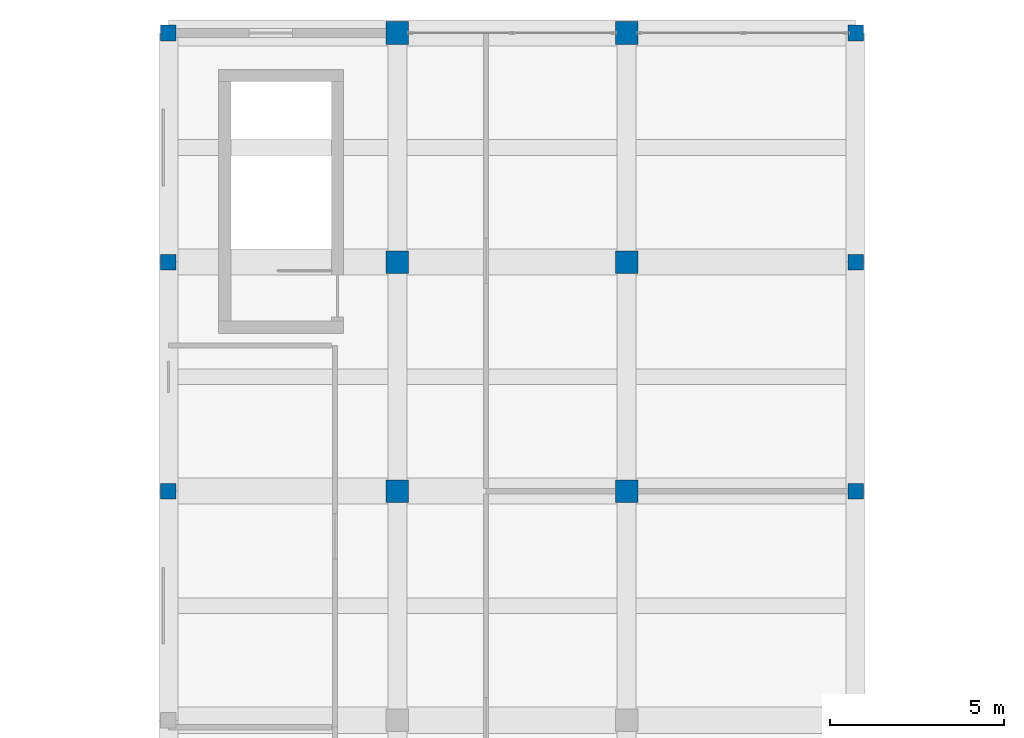
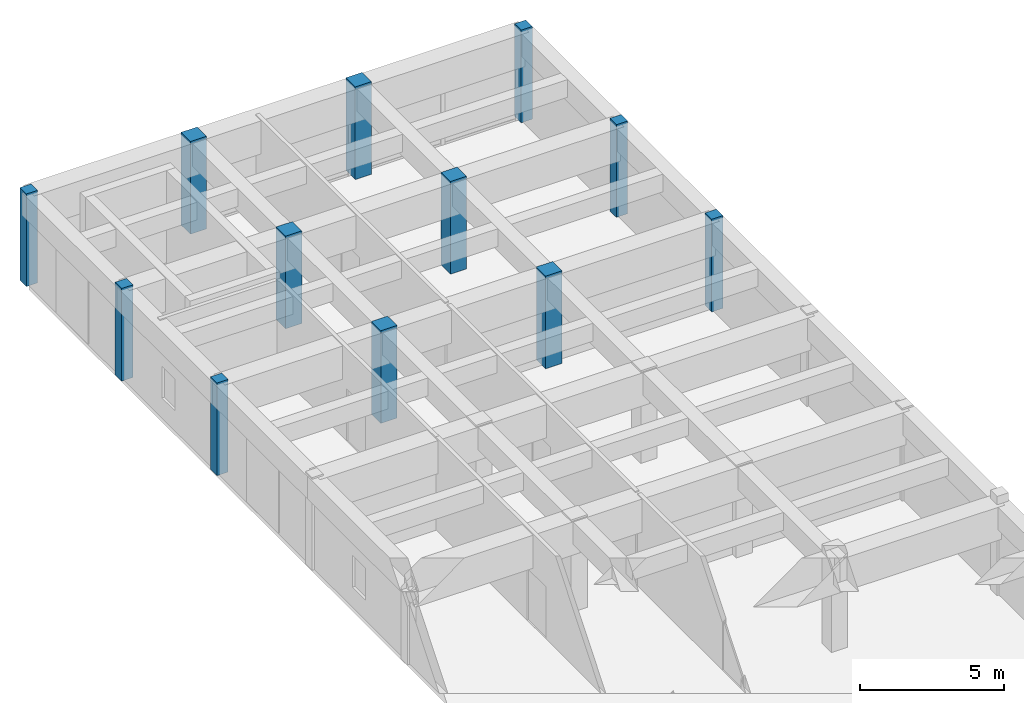
# One storey, part 17 of 134: 12 columns.
"""IFC4 building model written with IfcOpenShell, lengths in metres."""

from ifc_helpers import new_model, si_unit, direction, frame, origin, origin_2d, place, context, subcontext, project, spatial, rectangle, extrude, material, material_profile, profile_set, type_object, element, save


model = new_model("IFC4")

# Units and contexts
model_context = context("Model", 3, precision=1e-05, world=origin(), true_north=direction((0.0, 1.0)))
body_context = subcontext(model_context, "Body", "Model", "MODEL_VIEW")
ifc_project = project(units=[si_unit("LENGTHUNIT", "METRE"), si_unit("AREAUNIT", "SQUARE_METRE"), si_unit("VOLUMEUNIT", "CUBIC_METRE"), si_unit("PLANEANGLEUNIT", "RADIAN"), si_unit("MASSUNIT", "GRAM", prefix="KILO")], contexts=[model_context])

# Site, building, storey
site_placement = place(None, origin())
site = spatial("IfcSite", under=ifc_project, at=site_placement, CompositionType="ELEMENT")
building_placement = place(site_placement, origin())
building = spatial("IfcBuilding", under=site, at=building_placement, Name="Karori Crest Natural Sciences Institute", CompositionType="ELEMENT")
storey_placement = place(building_placement, frame((0.0, 0.0, 21.699951171875)))
storey = spatial("IfcBuildingStorey", under=building, at=storey_placement, Name="L05", CompositionType="ELEMENT", Elevation=21.699951171875)

# Columns
ifc_material = material(Name="Concrete 50 MPa", Category="concrete")
ifc_material_profile_1 = material_profile(ifc_material, rectangle(XDim=0.64990234375, YDim=0.64990234375, at=origin_2d()), Name="RC650x650")
ifc_profile_set_1 = profile_set([ifc_material_profile_1], Name="Concrete 50 MPa")
column_type_1 = type_object("IfcColumnType", Name="CT-19-IL", PredefinedType="COLUMN", material=ifc_profile_set_1)
for number, where, z_axis, x_axis, name in (
    (1, (14.0, 134.60009765625, 0.0), (0.0, 0.0, 1.0), (1.0, 0.0, 0.0), "Column C-0838"),
    (2, (14.0, 141.199951171875, 0.0), (0.0, 0.0, 1.0), (1.0, 0.0, 0.0), "Column C-0845"),
    (3, (14.0, 147.800048828125, 0.0), (0.0, 0.0, 1.0), (1.0, 0.0, 0.0), "Column C-0852"),
    (4, (20.60009765625, 134.60009765625, 0.0), (0.0, 0.0, 1.0), (1.0, 0.0, 0.0), "Column C-0915"),
    (5, (20.60009765625, 141.199951171875, 0.0), (0.0, 0.0, 1.0), (1.0, 0.0, 0.0), "Column C-0922"),
    (6, (20.60009765625, 147.800048828125, 0.0), (0.0, 0.0, 1.0), (1.0, 0.0, 0.0), "Column C-0929"),
):
    element("IfcColumn", number, at=place(storey_placement, frame(where, z_axis=z_axis, x_axis=x_axis)), inside=storey, type_object=column_type_1, Name=name, PredefinedType="COLUMN", context=body_context, shape_type="SweptSolid", body=[
        extrude(rectangle(XDim=0.64990234375, YDim=0.64990234375, at=origin_2d()), origin(), (0.0, 0.0, 1.0), 3.920166015625),
    ])
ifc_material_profile_2 = material_profile(ifc_material, rectangle(XDim=0.449951171875, YDim=0.449951171875, at=origin_2d()), Name="RC450x450")
ifc_profile_set_2 = profile_set([ifc_material_profile_2], Name="Concrete 50 MPa")
column_type_2 = type_object("IfcColumnType", Name="CT-23", PredefinedType="PILASTER", material=ifc_profile_set_2)
for number, where, z_axis, x_axis, name in (
    (7, (7.39990234375, 134.60009765625, 0.0), (0.0, 0.0, 1.0), (1.0, 0.0, 0.0), "Column C-0761"),
    (8, (7.39990234375, 141.199951171875, 0.0), (0.0, 0.0, 1.0), (1.0, 0.0, 0.0), "Column C-0768"),
    (9, (7.39990234375, 147.800048828125, 0.0), (0.0, 0.0, 1.0), (1.0, 0.0, 0.0), "Column C-0775"),
    (10, (27.199951171875, 134.60009765625, 0.0), (0.0, 0.0, 1.0), (1.0, 0.0, 0.0), "Column C-0992"),
    (11, (27.199951171875, 141.199951171875, 0.0), (0.0, 0.0, 1.0), (1.0, 0.0, 0.0), "Column C-0999"),
    (12, (27.199951171875, 147.800048828125, 0.0), (0.0, 0.0, 1.0), (1.0, 0.0, 0.0), "Column C-1006"),
):
    element("IfcColumn", number, at=place(storey_placement, frame(where, z_axis=z_axis, x_axis=x_axis)), inside=storey, type_object=column_type_2, Name=name, PredefinedType="PILASTER", context=body_context, shape_type="SweptSolid", body=[
        extrude(rectangle(XDim=0.449951171875, YDim=0.449951171875, at=origin_2d()), origin(), (0.0, 0.0, 1.0), 3.920166015625),
    ])

save(model, "model.ifc")
